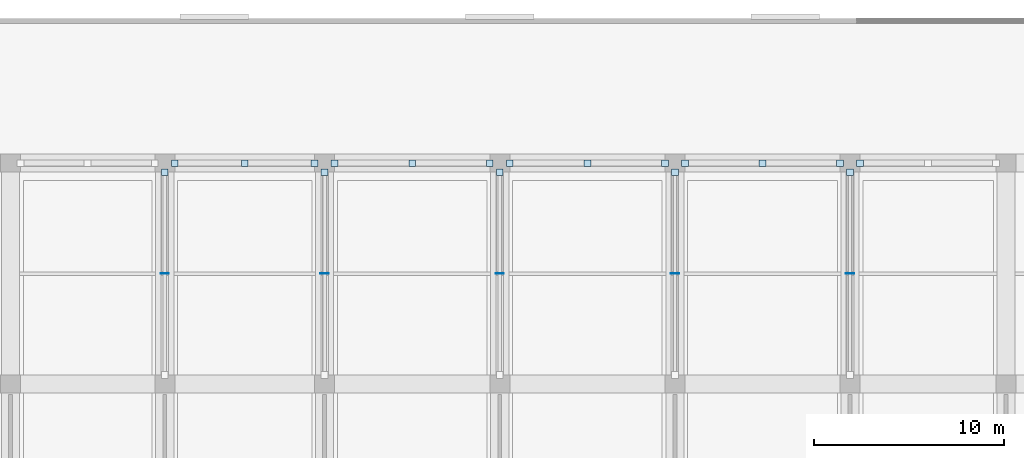
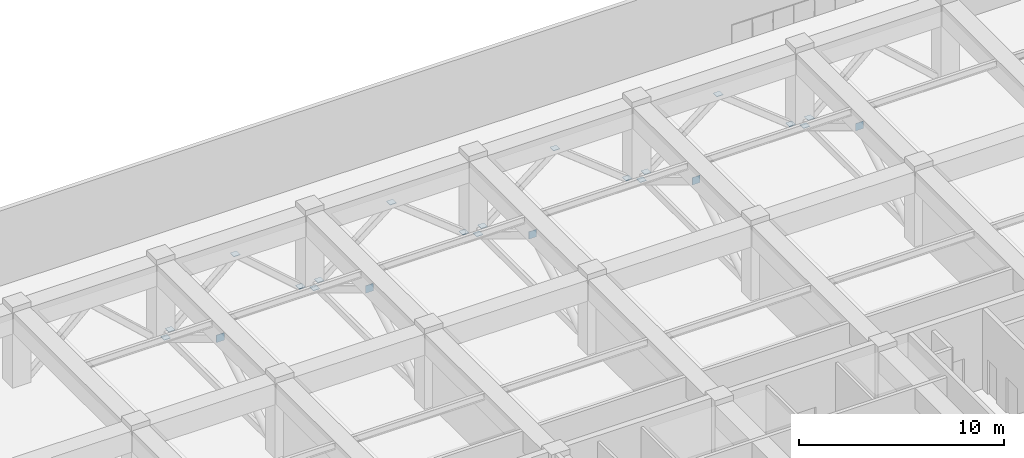
# One storey, part 6 of 21: 23 plates.
"""IFC4 building model written with IfcOpenShell, lengths in metres."""

import ifcopenshell
import ifcopenshell.guid

model = None  # the IFC model being written
_history = None  # IfcOwnerHistory: only IFC2X3 demands one
_inside = {}  # id of a spatial element -> (the spatial element, [elements in it])
_under = {}  # id of a project, library or spatial element -> (it, [spatial elements below it])
_declared = {}  # id of a project -> (the project, [libraries it declares])
_typed = {}  # id of a type object -> (the type object, [elements of that type])
_made_of = {}  # id of a material, layer set ... -> (it, [elements and type objects made of it])


def new_model(schema):
    """Start an empty IFC model of exactly this schema.

    Asked for "IFC4X3", IfcOpenShell would pick the latest addendum, in which some entities
    have other attributes; the version numbers below select the first issue.
    IFC2X3 requires an IfcOwnerHistory on every rooted entity: one is made here for all.
    """
    global model, _history
    if schema == "IFC4X3":
        model = ifcopenshell.file(schema_version=(4, 3, 0, 0))
    else:
        model = ifcopenshell.file(schema=schema)
    _inside.clear()
    _under.clear()
    _declared.clear()
    _typed.clear()
    _made_of.clear()
    _history = None
    if model.schema == "IFC2X3":
        org = make("IfcOrganization", Name="unknown")
        user = make(
            "IfcPersonAndOrganization",
            ThePerson=make("IfcPerson", FamilyName="unknown"),
            TheOrganization=org,
        )
        app = make(
            "IfcApplication",
            ApplicationDeveloper=org,
            Version="unknown",
            ApplicationFullName="unknown",
            ApplicationIdentifier="unknown",
        )
        _history = make(
            "IfcOwnerHistory",
            OwningUser=user,
            OwningApplication=app,
            ChangeAction="ADDED",
            CreationDate=0,
        )
    return model


def make(cls, **values):
    """One entity of the class cls with the attributes given. An attribute that is None is left unset."""
    return model.create_entity(
        cls, **{name: value for name, value in values.items() if value is not None}
    )


def rooted(cls, **values):
    """An entity with a GlobalId (a new one), such as an element, a storey or a relation."""
    return make(cls, GlobalId=ifcopenshell.guid.new(), OwnerHistory=_history, **values)


def si_unit(unit_type, name, prefix=None):
    """IfcSIUnit, for example si_unit("LENGTHUNIT", "METRE", prefix="MILLI")."""
    return make("IfcSIUnit", UnitType=unit_type, Prefix=prefix, Name=name)


def assignment(units):
    """IfcUnitAssignment: the units of a project."""
    return None if units is None else make("IfcUnitAssignment", Units=units)


def point(xyz):
    """IfcCartesianPoint."""
    return None if xyz is None else make("IfcCartesianPoint", Coordinates=xyz)


def direction(xyz):
    """IfcDirection."""
    return None if xyz is None else make("IfcDirection", DirectionRatios=xyz)


def frame(location, z_axis=None, x_axis=None):
    """IfcAxis2Placement3D, a coordinate frame: its origin and axes. An axis left out is left unset."""
    return make(
        "IfcAxis2Placement3D",
        Location=point(location),
        Axis=direction(z_axis),
        RefDirection=direction(x_axis),
    )


def frame_2d(location, x_axis=None):
    """IfcAxis2Placement2D, a coordinate frame in the plane: its origin and x axis."""
    return make(
        "IfcAxis2Placement2D", Location=point(location), RefDirection=direction(x_axis)
    )


def origin():
    """The frame at (0, 0, 0) with its axes left unset."""
    return frame((0.0, 0.0, 0.0))


def origin_2d():
    """The frame at (0, 0) in the plane with its x axis left unset."""
    return frame_2d((0.0, 0.0))


def place(relative_to, where):
    """IfcLocalPlacement: puts the frame where relative to a parent placement (None: the world)."""
    return make(
        "IfcLocalPlacement", PlacementRelTo=relative_to, RelativePlacement=where
    )


def context(
    kind, dimensions, precision=None, world=None, true_north=None, identifier=None
):
    """IfcGeometricRepresentationContext, for example the 3D "Model" context."""
    return make(
        "IfcGeometricRepresentationContext",
        ContextIdentifier=identifier,
        ContextType=kind,
        CoordinateSpaceDimension=dimensions,
        Precision=precision,
        WorldCoordinateSystem=world,
        TrueNorth=true_north,
    )


def subcontext(parent, identifier, kind, view, scale=None):
    """IfcGeometricRepresentationSubContext, for example "Body" below "Model"."""
    return make(
        "IfcGeometricRepresentationSubContext",
        ContextIdentifier=identifier,
        ContextType=kind,
        ParentContext=parent,
        TargetScale=scale,
        TargetView=view,
    )


def project(units=None, contexts=None):
    """IfcProject with its units and contexts."""
    return rooted(
        "IfcProject",
        Name="project",
        RepresentationContexts=contexts,
        UnitsInContext=assignment(units),
    )


def spatial(cls, under=None, at=None, **own):
    """A site, building, storey or space (cls), placed at a placement, below another one or the project."""
    s = rooted(cls, ObjectPlacement=at, **own)
    if under is not None:
        _under.setdefault(under.id(), (under, []))[1].append(s)
    return s


def profile(cls, at=None, kind="AREA", **sizes):
    """A parametric profile (cls). Its sizes go by their IFC names, for example OverallWidth=200.0."""
    return make(cls, ProfileType=kind, Position=at, **sizes)


def rectangle(**sizes):
    """IfcRectangleProfileDef."""
    return profile("IfcRectangleProfileDef", **sizes)


def extrude(swept, where, along, depth):
    """IfcExtrudedAreaSolid: the profile swept, set in the frame where, extruded along a direction by depth."""
    return make(
        "IfcExtrudedAreaSolid",
        SweptArea=swept,
        Position=where,
        ExtrudedDirection=direction(along),
        Depth=depth,
    )


def shape(context_of_items, identifier, shape_type, items):
    """IfcShapeRepresentation: the items that make up one representation, for example the "Body"."""
    return make(
        "IfcShapeRepresentation",
        ContextOfItems=context_of_items,
        RepresentationIdentifier=identifier,
        RepresentationType=shape_type,
        Items=items,
    )


def material(Name=None, Category=None):
    """IfcMaterial."""
    return make("IfcMaterial", Name=Name, Category=Category)


def layer(
    of_material, thickness, ventilated=None, Name=None, Category=None, Priority=None
):
    """IfcMaterialLayer: one layer of a wall or slab, of a material (None: an air gap)."""
    return make(
        "IfcMaterialLayer",
        Material=of_material,
        LayerThickness=thickness,
        IsVentilated=ventilated,
        Name=Name,
        Category=Category,
        Priority=Priority,
    )


def layer_set(layers, Name=None):
    """IfcMaterialLayerSet."""
    return make("IfcMaterialLayerSet", MaterialLayers=layers, LayerSetName=Name)


def made_of(thing, what):
    """Note that an element or type object is made of a material, layer set ...; save() writes the relation."""
    if what is not None:
        _made_of.setdefault(what.id(), (what, []))[1].append(thing)
    return thing


def type_object(cls, material=None, **own):
    """A type object (cls), such as IfcWallType, which elements share."""
    return made_of(rooted(cls, **own), material)


def element(
    cls,
    number,
    at=None,
    inside=None,
    cuts=None,
    type_object=None,
    material=None,
    context=None,
    identifier="Body",
    shape_type=None,
    held_by="IfcProductDefinitionShape",
    body=None,
    shapes=None,
    **own,
):
    """One element of the class cls, such as IfcWall. Its Tag is "e" and its number.

    at: its placement. inside: the storey or other place that contains it. cuts: it is an
    opening in that element (IfcRelVoidsElement). A single representation is given by context,
    identifier, shape_type and body (its items); several are given by shapes. held_by: the class
    of the entity that holds the representations. save() writes the other relations.
    """
    e = rooted(cls, Tag="e%d" % number, ObjectPlacement=at, **own)
    if body is not None:
        shapes = [shape(context, identifier, shape_type, body)]
    if shapes is not None:
        e.Representation = make(held_by, Representations=shapes)
    if inside is not None:
        _inside.setdefault(inside.id(), (inside, []))[1].append(e)
    if cuts is not None:
        rooted(
            "IfcRelVoidsElement", RelatingBuildingElement=cuts, RelatedOpeningElement=e
        )
    if type_object is not None:
        _typed.setdefault(type_object.id(), (type_object, []))[1].append(e)
    return made_of(e, material)


def aggregate(whole, parts):
    """IfcRelAggregates: a whole, such as a stair, and the parts it consists of."""
    return rooted("IfcRelAggregates", RelatingObject=whole, RelatedObjects=parts)


def save(model, path):
    """Write the relations noted so far, then the file.

    IfcRelAggregates (storeys below a building ...), IfcRelContainedInSpatialStructure (elements
    in a storey), IfcRelDefinesByType, IfcRelAssociatesMaterial and IfcRelDeclares: one each for
    every whole, place, type object, material and project.
    """
    for whole, parts in _under.values():
        aggregate(whole, parts)
    for where, things in _inside.values():
        rooted(
            "IfcRelContainedInSpatialStructure",
            RelatedElements=things,
            RelatingStructure=where,
        )
    for kind, things in _typed.values():
        rooted("IfcRelDefinesByType", RelatedObjects=things, RelatingType=kind)
    for what, things in _made_of.values():
        rooted("IfcRelAssociatesMaterial", RelatedObjects=things, RelatingMaterial=what)
    for by, libraries in _declared.values():
        rooted("IfcRelDeclares", RelatingContext=by, RelatedDefinitions=libraries)
    model.write(path)


model = new_model("IFC4")

# Units and contexts
model_context = context("Model", 3, precision=1e-05, world=origin(), true_north=direction((0.0, 1.0)))
body_context = subcontext(model_context, "Body", "Model", "MODEL_VIEW")
ifc_project = project(units=[si_unit("LENGTHUNIT", "METRE"), si_unit("AREAUNIT", "SQUARE_METRE"), si_unit("VOLUMEUNIT", "CUBIC_METRE"), si_unit("PLANEANGLEUNIT", "RADIAN"), si_unit("MASSUNIT", "GRAM", prefix="KILO")], contexts=[model_context])

# Site, building, storey
site_placement = place(None, origin())
site = spatial("IfcSite", under=ifc_project, at=site_placement, CompositionType="ELEMENT")
building_placement = place(site_placement, origin())
building = spatial("IfcBuilding", under=site, at=building_placement, Name="Korimba Cascade Residences", CompositionType="ELEMENT")
storey_placement = place(building_placement, frame((0.0, 0.0, 76.0)))
storey = spatial("IfcBuildingStorey", under=building, at=storey_placement, Name="L21", CompositionType="ELEMENT", Elevation=76.0)

# Plates
ifc_material = material(Name="Steel S460", Category="steel")
ifc_layer = layer(ifc_material, 0.028076171875)
ifc_layer_set = layer_set([ifc_layer], Name="Steel S460")
plate_type = type_object("IfcPlateType", Name="PLT-ENDCAP-28", PredefinedType="USERDEFINED", material=ifc_layer_set)
for number, where, z_axis, x_axis, name in (
    (1, (76.10009765625, 85.39990234375, 3.010009765625), (0.0, 0.0, 1.0), (1.0, 0.0, 0.0), "L21 Outrigger Node Plate ON1 1"),
    (2, (84.5, 85.39990234375, 3.010009765625), (0.0, 0.0, 1.0), (1.0, 0.0, 0.0), "L21 Outrigger Node Plate ON1 2"),
    (3, (93.699951171875, 85.39990234375, 3.010009765625), (0.0, 0.0, 1.0), (1.0, 0.0, 0.0), "L21 Outrigger Node Plate ON1 3"),
    (4, (102.89990234375, 85.39990234375, 3.010009765625), (0.0, 0.0, 1.0), (1.0, 0.0, 0.0), "L21 Outrigger Node Plate ON1 4"),
    (5, (112.10009765625, 85.39990234375, 3.010009765625), (0.0, 0.0, 1.0), (1.0, 0.0, 0.0), "L21 Outrigger Node Plate ON1 5"),
):
    element("IfcPlate", number, at=place(storey_placement, frame(where, z_axis=z_axis, x_axis=x_axis)), inside=storey, type_object=plate_type, Name=name, ObjectType="CAP PLATE", PredefinedType="USERDEFINED", context=body_context, shape_type="SweptSolid", body=[
        extrude(rectangle(XDim=0.43994140625, YDim=0.028076171875, at=origin_2d()), origin(), (0.0, 0.0, 1.0), 0.43994140625),
    ])
for number, where, z_axis, x_axis, name in (
    (6, (76.10009765625, 90.72509765625, 0.005859375), (0.0, 0.0, 1.0), (1.0, 0.0, 0.0), "L21 Brace Welded End Connection Plate 23"),
    (7, (84.5, 90.72509765625, 0.005859375), (0.0, 0.0, 1.0), (1.0, 0.0, 0.0), "L21 Brace Welded End Connection Plate 25"),
    (8, (93.699951171875, 90.72509765625, 0.005859375), (0.0, 0.0, 1.0), (1.0, 0.0, 0.0), "L21 Brace Welded End Connection Plate 27"),
    (9, (102.89990234375, 90.72509765625, 0.005859375), (0.0, 0.0, 1.0), (1.0, 0.0, 0.0), "L21 Brace Welded End Connection Plate 29"),
    (10, (112.10009765625, 90.72509765625, 0.005859375), (0.0, 0.0, 1.0), (1.0, 0.0, 0.0), "L21 Brace Welded End Connection Plate 31"),
    (11, (76.625, 91.199951171875, 0.005859375), (0.0, 0.0, 1.0), (1.0, 0.0, 0.0), "L21 Brace Welded End Connection Plate 35"),
    (12, (80.300048828125, 91.199951171875, 3.2158203125), (0.0, 0.0, 1.0), (1.0, 0.0, 0.0), "L21 Brace Welded End Connection Plate 36"),
    (13, (83.97509765625, 91.199951171875, 0.005859375), (0.0, 0.0, 1.0), (1.0, 0.0, 0.0), "L21 Brace Welded End Connection Plate 37"),
    (14, (85.02490234375, 91.199951171875, 0.005859375), (0.0, 0.0, 1.0), (1.0, 0.0, 0.0), "L21 Brace Welded End Connection Plate 38"),
    (15, (89.10009765625, 91.199951171875, 3.2158203125), (0.0, 0.0, 1.0), (1.0, 0.0, 0.0), "L21 Brace Welded End Connection Plate 39"),
    (16, (93.175048828125, 91.199951171875, 0.005859375), (0.0, 0.0, 1.0), (1.0, 0.0, 0.0), "L21 Brace Welded End Connection Plate 40"),
    (17, (94.22509765625, 91.199951171875, 0.005859375), (0.0, 0.0, 1.0), (1.0, 0.0, 0.0), "L21 Brace Welded End Connection Plate 41"),
    (18, (98.300048828125, 91.199951171875, 3.2158203125), (0.0, 0.0, 1.0), (1.0, 0.0, 0.0), "L21 Brace Welded End Connection Plate 42"),
    (19, (102.375, 91.199951171875, 0.005859375), (0.0, 0.0, 1.0), (1.0, 0.0, 0.0), "L21 Brace Welded End Connection Plate 43"),
    (20, (103.425048828125, 91.199951171875, 0.005859375), (0.0, 0.0, 1.0), (1.0, 0.0, 0.0), "L21 Brace Welded End Connection Plate 44"),
    (21, (107.5, 91.199951171875, 3.2158203125), (0.0, 0.0, 1.0), (1.0, 0.0, 0.0), "L21 Brace Welded End Connection Plate 45"),
    (22, (111.574951171875, 91.199951171875, 0.005859375), (0.0, 0.0, 1.0), (1.0, 0.0, 0.0), "L21 Brace Welded End Connection Plate 46"),
    (23, (112.625, 91.199951171875, 0.005859375), (0.0, 0.0, 1.0), (1.0, 0.0, 0.0), "L21 Brace Welded End Connection Plate 47"),
):
    element("IfcPlate", number, at=place(storey_placement, frame(where, z_axis=z_axis, x_axis=x_axis)), inside=storey, type_object=plate_type, Name=name, ObjectType="CAP PLATE", PredefinedType="USERDEFINED", context=body_context, shape_type="SweptSolid", body=[
        extrude(rectangle(XDim=0.360107421875, YDim=0.360107421875, at=origin_2d()), origin(), (0.0, 0.0, 1.0), 0.028076171875),
    ])

save(model, "model.ifc")
